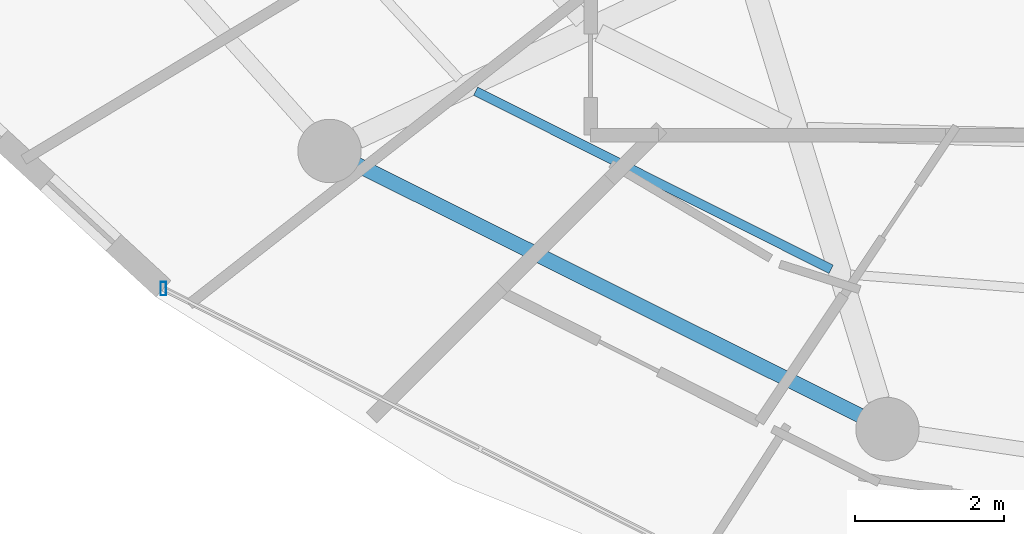
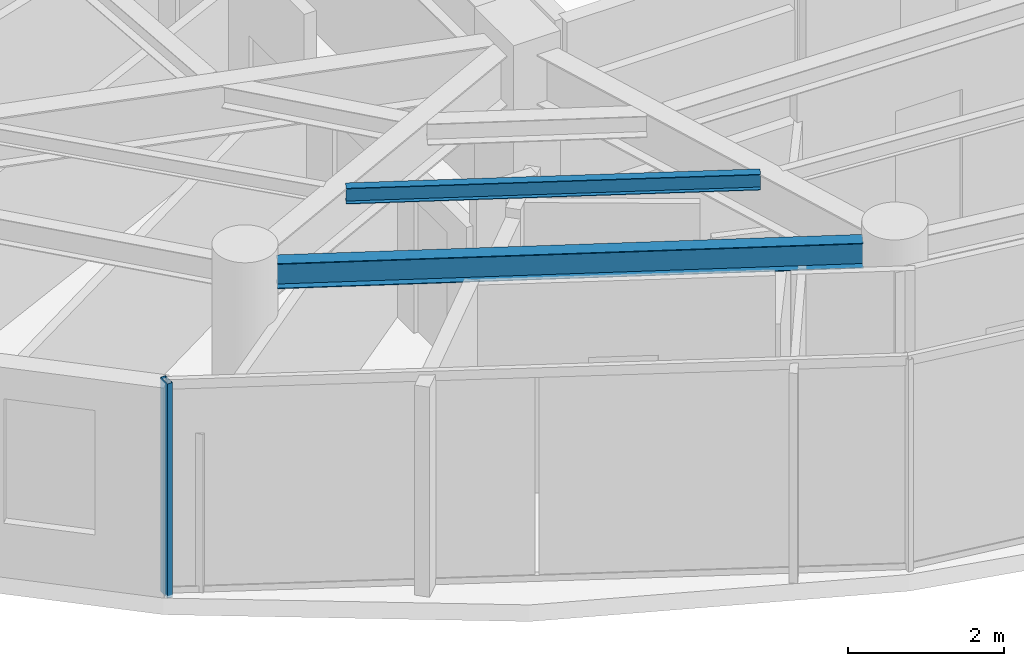
# One storey, part 2 of 29: 2 beams, 1 member, 1 element without a shape of its own.
"""IFC4 building model written with IfcOpenShell, lengths in metres."""

from ifc_helpers import new_model, si_unit, direction, frame, origin, origin_2d, place, context, subcontext, project, spatial, hollow_rectangle, i_section, extrude, material, material_profile, profile_set, type_object, element, aggregate, save


model = new_model("IFC4")

# Units and contexts
model_context = context("Model", 3, precision=1e-05, world=origin(), true_north=direction((0.0, 1.0)))
body_context = subcontext(model_context, "Body", "Model", "MODEL_VIEW")
ifc_project = project(units=[si_unit("LENGTHUNIT", "METRE"), si_unit("AREAUNIT", "SQUARE_METRE"), si_unit("VOLUMEUNIT", "CUBIC_METRE"), si_unit("PLANEANGLEUNIT", "RADIAN"), si_unit("MASSUNIT", "GRAM", prefix="KILO")], contexts=[model_context])

# Site, building, storey
site_placement = place(None, origin())
site = spatial("IfcSite", under=ifc_project, at=site_placement, CompositionType="ELEMENT")
building_placement = place(site_placement, origin())
building = spatial("IfcBuilding", under=site, at=building_placement, Name="Vorneva Point Tower", CompositionType="ELEMENT")
storey_placement = place(building_placement, frame((0.0, 0.0, 259.10009765625)))
storey = spatial("IfcBuildingStorey", under=building, at=storey_placement, Name="L70", CompositionType="ELEMENT", Elevation=259.10009765625)

# Beams
ifc_material_1 = material(Name="Steel S355", Category="steel")
ifc_material_profile_1 = material_profile(ifc_material_1, i_section(OverallWidth=0.1240234375, OverallDepth=0.248046875, WebThickness=0.0048828125, FlangeThickness=0.008056640625, at=origin_2d()), Name="25B1")
ifc_profile_set_1 = profile_set([ifc_material_profile_1], Name="Steel S355")
beam_type_1 = type_object("IfcBeamType", Name="BM-JST-25B1", PredefinedType="JOIST", material=ifc_profile_set_1)
beam_1_placement = place(storey_placement, frame((23.658447265625, 14.639404296875, 3.166015625), z_axis=(0.894042010331, -0.447983128883, 0.0), x_axis=(0.447983128883, 0.894042010331, 0.0)))
element("IfcBeam", 1, at=beam_1_placement, inside=storey, type_object=beam_type_1, Name="L70 Secondary Floor Beam 1.11", PredefinedType="JOIST", context=body_context, shape_type="SweptSolid", body=[
    extrude(i_section(OverallWidth=0.1240234375, OverallDepth=0.248046875, WebThickness=0.0048828125, FlangeThickness=0.008056640625, at=origin_2d()), origin(), (0.0, 0.0, 1.0), 5.328857421875),
])
ifc_material_profile_2 = material_profile(ifc_material_1, i_section(OverallWidth=0.198974609375, OverallDepth=0.39599609375, WebThickness=0.007080078125, FlangeThickness=0.010986328125, at=origin_2d()), Name="40B1")
ifc_profile_set_2 = profile_set([ifc_material_profile_2], Name="Steel S355")
beam_type_2 = type_object("IfcBeamType", Name="BM-SPN-40B1", PredefinedType="SPANDREL", material=ifc_profile_set_2)
beam_2_placement = place(storey_placement, frame((22.068115234375, 13.65478515625, 3.091796875), z_axis=(0.894932011528, -0.446202526599, 0.0), x_axis=(0.446202526599, 0.894932011528, 0.0)))
element("IfcBeam", 2, at=beam_2_placement, inside=storey, type_object=beam_type_2, Name="L70 Perimeter Spandrel Ring Beam 11", PredefinedType="SPANDREL", context=body_context, shape_type="SweptSolid", body=[
    extrude(i_section(OverallWidth=0.198974609375, OverallDepth=0.39599609375, WebThickness=0.007080078125, FlangeThickness=0.010986328125, at=origin_2d()), origin(), (0.0, 0.0, 1.0), 7.535888671875),
])

# Curtain wall, member
ifc_material_2 = material(Name="Pale anodised aluminium", Category="aluminium")
curtain_wall_type = type_object("IfcCurtainWallType", Name="CW-RES-SYS", PredefinedType="NOTDEFINED", material=ifc_material_2)
curtain_wall_placement = place(storey_placement, origin())
curtain_wall = element("IfcCurtainWall", 3, at=curtain_wall_placement, inside=storey, type_object=curtain_wall_type, Name="L70 Unitised Curtain Wall CW-L70-R04", PredefinedType="NOTDEFINED")
ifc_material_profile_3 = material_profile(ifc_material_2, hollow_rectangle(XDim=0.074951171875, YDim=0.179931640625, WallThickness=0.00390625, at=origin_2d()), Name="AL-MUL 180x75x4")
ifc_profile_set_3 = profile_set([ifc_material_profile_3], Name="Pale anodised aluminium")
member_type = type_object("IfcMemberType", Name="CW-MUL-180", PredefinedType="MULLION", material=ifc_profile_set_3)
member_placement = place(storey_placement, frame((19.473876953125, 11.9921875, -0.0400390625), z_axis=(0.0, 0.0, 1.0), x_axis=(1.0, 0.0, 0.0)))
member = element("IfcMember", 4, at=member_placement, type_object=member_type, Name="CW-L70-R04 Mullion 01", PredefinedType="MULLION", context=body_context, shape_type="SweptSolid", body=[
    extrude(hollow_rectangle(XDim=0.074951171875, YDim=0.179931640625, WallThickness=0.00390625, at=origin_2d()), origin(), (0.0, 0.0, 1.0), 3.35986328125),
])
aggregate(curtain_wall, [member])

save(model, "model.ifc")
